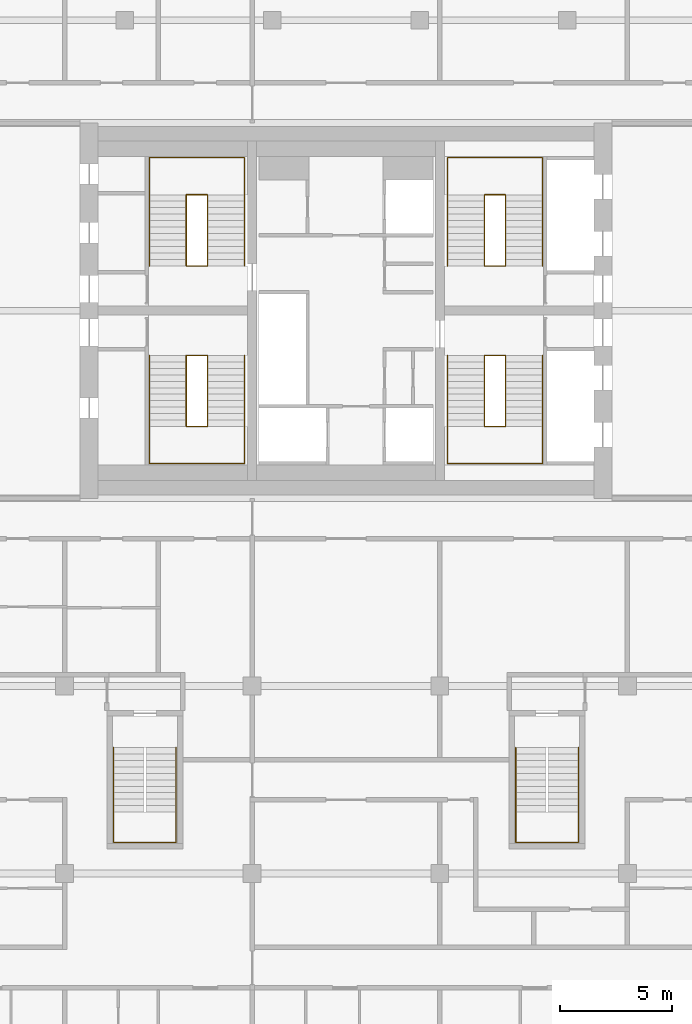
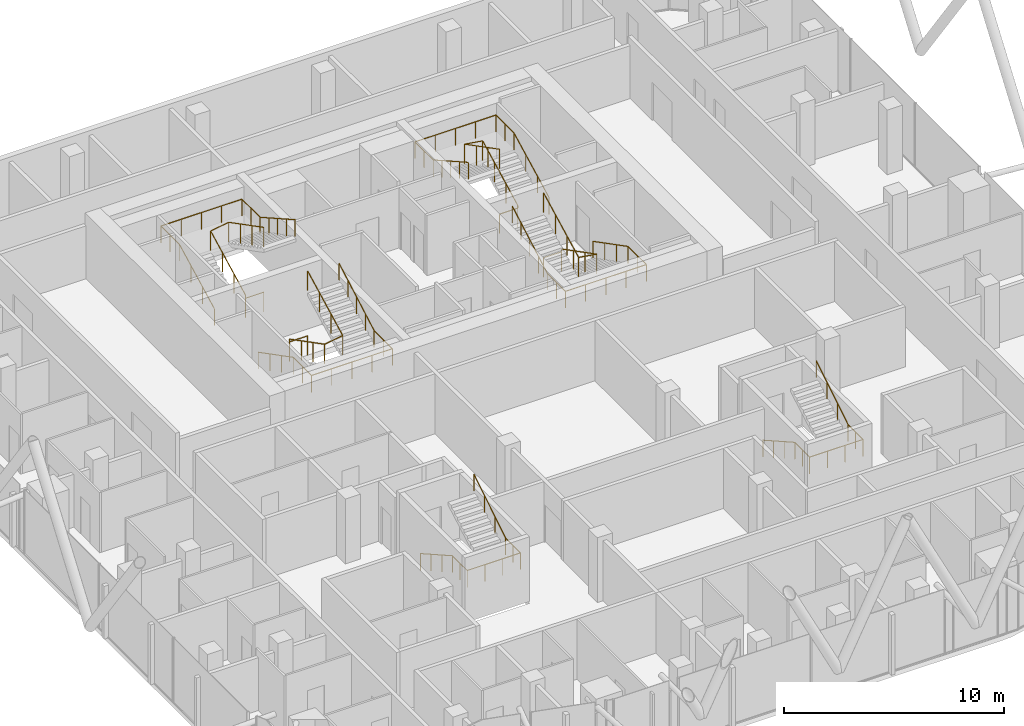
# One storey, part 31 of 31: 10 railings.
"""IFC4 building model written with IfcOpenShell, lengths in metres."""

from ifc_helpers import new_model, si_unit, direction, frame, origin, origin_2d, place, context, subcontext, project, spatial, circle, extrude, material, type_object, element, save


model = new_model("IFC4")

# Units and contexts
model_context = context("Model", 3, precision=1e-05, world=origin(), true_north=direction((0.0, 1.0)))
body_context = subcontext(model_context, "Body", "Model", "MODEL_VIEW")
ifc_project = project(units=[si_unit("LENGTHUNIT", "METRE"), si_unit("AREAUNIT", "SQUARE_METRE"), si_unit("VOLUMEUNIT", "CUBIC_METRE"), si_unit("PLANEANGLEUNIT", "RADIAN"), si_unit("MASSUNIT", "GRAM", prefix="KILO")], contexts=[model_context])

# Site, building, storey
site_placement = place(None, origin())
site = spatial("IfcSite", under=ifc_project, at=site_placement, CompositionType="ELEMENT")
building_placement = place(site_placement, origin())
building = spatial("IfcBuilding", under=site, at=building_placement, Name="Marenta Gate Hotel Tower", CompositionType="ELEMENT")
storey_placement = place(building_placement, frame((0.0, 0.0, 205.699951171875)))
storey = spatial("IfcBuildingStorey", under=building, at=storey_placement, Name="L47", CompositionType="ELEMENT", Elevation=205.699951171875)

# Railings
ifc_material_1 = material(Name="Stainless steel", Category="steel")
railing_type_1 = type_object("IfcRailingType", Name="Core stair handrail 950", PredefinedType="HANDRAIL", material=ifc_material_1)
railing_1_placement = place(storey_placement, frame((-8.800048828125, 6.39990234375, 0.150146484375)))
element("IfcRailing", 1, at=railing_1_placement, inside=storey, type_object=railing_type_1, Name="HR-950 L47-KR-ST1-1", PredefinedType="HANDRAIL", context=body_context, shape_type="SweptSolid", body=[
    extrude(circle(Radius=0.02392578125, at=origin_2d()), frame((0.0, 0.0, 0.92578125), z_axis=(0.0, -0.888225295554, 0.459408123936), x_axis=(1.0, 0.0, 0.0)), (0.0, 0.0, 1.0), 3.59130859375),
    extrude(circle(Radius=0.02392578125, at=origin_2d()), frame((0.0, -3.18994140625, 2.57568359375), z_axis=(0.0, -1.0, 0.0), x_axis=(1.0, 0.0, 0.0)), (0.0, 0.0, 1.0), 1.659912109375),
    extrude(circle(Radius=0.02392578125, at=origin_2d()), frame((0.0, -4.849853515625, 2.57568359375), z_axis=(1.0, 0.0, 0.0), x_axis=(0.0, 1.0, 0.0)), (0.0, 0.0, 1.0), 4.25),
    extrude(circle(Radius=0.02392578125, at=origin_2d()), frame((4.25, -4.849853515625, 2.57568359375), z_axis=(0.0, 1.0, 0.0), x_axis=(-1.0, 0.0, 0.0)), (0.0, 0.0, 1.0), 1.659912109375),
    extrude(circle(Radius=0.02392578125, at=origin_2d()), frame((4.25, -3.18994140625, 2.57568359375), z_axis=(0.0, 0.87090897868, 0.491444351738), x_axis=(-1.0, 0.0, 0.0)), (0.0, 0.0, 1.0), 3.662841796875),
    extrude(circle(Radius=0.02099609375, at=origin_2d()), origin(), (0.0, 0.0, 1.0), 0.90185546875),
    extrude(circle(Radius=0.02099609375, at=origin_2d()), frame((0.0, -1.063232421875, 0.550048828125)), (0.0, 0.0, 1.0), 0.90185546875),
    extrude(circle(Radius=0.02099609375, at=origin_2d()), frame((0.0, -2.126708984375, 1.099853515625)), (0.0, 0.0, 1.0), 0.90185546875),
    extrude(circle(Radius=0.02099609375, at=origin_2d()), frame((0.0, -3.18994140625, 1.64990234375)), (0.0, 0.0, 1.0), 0.90185546875),
    extrude(circle(Radius=0.02099609375, at=origin_2d()), frame((0.0, -4.02001953125, 1.64990234375)), (0.0, 0.0, 1.0), 0.90185546875),
    extrude(circle(Radius=0.02099609375, at=origin_2d()), frame((0.0, -4.849853515625, 1.64990234375)), (0.0, 0.0, 1.0), 0.90185546875),
    extrude(circle(Radius=0.02099609375, at=origin_2d()), frame((1.0625, -4.849853515625, 1.64990234375)), (0.0, 0.0, 1.0), 0.90185546875),
    extrude(circle(Radius=0.02099609375, at=origin_2d()), frame((2.125, -4.849853515625, 1.64990234375)), (0.0, 0.0, 1.0), 0.90185546875),
    extrude(circle(Radius=0.02099609375, at=origin_2d()), frame((3.1875, -4.849853515625, 1.64990234375)), (0.0, 0.0, 1.0), 0.90185546875),
    extrude(circle(Radius=0.02099609375, at=origin_2d()), frame((4.25, -4.849853515625, 1.64990234375)), (0.0, 0.0, 1.0), 0.90185546875),
    extrude(circle(Radius=0.02099609375, at=origin_2d()), frame((4.25, -4.02001953125, 1.64990234375)), (0.0, 0.0, 1.0), 0.90185546875),
    extrude(circle(Radius=0.02099609375, at=origin_2d()), frame((4.25, -3.18994140625, 1.64990234375)), (0.0, 0.0, 1.0), 0.90185546875),
    extrude(circle(Radius=0.02099609375, at=origin_2d()), frame((4.25, -2.392578125, 2.099853515625)), (0.0, 0.0, 1.0), 0.90185546875),
    extrude(circle(Radius=0.02099609375, at=origin_2d()), frame((4.25, -1.594970703125, 2.5498046875)), (0.0, 0.0, 1.0), 0.90185546875),
    extrude(circle(Radius=0.02099609375, at=origin_2d()), frame((4.25, -0.79736328125, 3.0)), (0.0, 0.0, 1.0), 0.90185546875),
    extrude(circle(Radius=0.02099609375, at=origin_2d()), frame((4.25, 0.0, 3.449951171875)), (0.0, 0.0, 1.0), 0.90185546875),
])
railing_2_placement = place(storey_placement, frame((-8.800048828125, 10.39990234375, 0.150146484375)))
element("IfcRailing", 2, at=railing_2_placement, inside=storey, type_object=railing_type_1, Name="HR-950 L47-KR-ST2-1", PredefinedType="HANDRAIL", context=body_context, shape_type="SweptSolid", body=[
    extrude(circle(Radius=0.02392578125, at=origin_2d()), frame((0.0, 0.0, 0.92578125), z_axis=(0.0, 0.888239641807, 0.459380385653), x_axis=(-1.0, 0.0, 0.0)), (0.0, 0.0, 1.0), 3.591552734375),
    extrude(circle(Radius=0.02392578125, at=origin_2d()), frame((0.0, 3.190185546875, 2.57568359375), z_axis=(0.0, 1.0, 0.0), x_axis=(-1.0, 0.0, 0.0)), (0.0, 0.0, 1.0), 1.659912109375),
    extrude(circle(Radius=0.02392578125, at=origin_2d()), frame((0.0, 4.85009765625, 2.57568359375), z_axis=(1.0, 0.0, 0.0), x_axis=(0.0, 1.0, 0.0)), (0.0, 0.0, 1.0), 4.25),
    extrude(circle(Radius=0.02392578125, at=origin_2d()), frame((4.25, 4.85009765625, 2.57568359375), z_axis=(0.0, -1.0, 0.0), x_axis=(1.0, 0.0, 0.0)), (0.0, 0.0, 1.0), 1.659912109375),
    extrude(circle(Radius=0.02392578125, at=origin_2d()), frame((4.25, 3.190185546875, 2.57568359375), z_axis=(0.0, -0.870925075533, 0.491415824742), x_axis=(1.0, 0.0, 0.0)), (0.0, 0.0, 1.0), 3.6630859375),
    extrude(circle(Radius=0.02099609375, at=origin_2d()), origin(), (0.0, 0.0, 1.0), 0.90185546875),
    extrude(circle(Radius=0.02099609375, at=origin_2d()), frame((0.0, 1.0634765625, 0.550048828125)), (0.0, 0.0, 1.0), 0.90185546875),
    extrude(circle(Radius=0.02099609375, at=origin_2d()), frame((0.0, 2.126708984375, 1.099853515625)), (0.0, 0.0, 1.0), 0.90185546875),
    extrude(circle(Radius=0.02099609375, at=origin_2d()), frame((0.0, 3.190185546875, 1.64990234375)), (0.0, 0.0, 1.0), 0.90185546875),
    extrude(circle(Radius=0.02099609375, at=origin_2d()), frame((0.0, 4.02001953125, 1.64990234375)), (0.0, 0.0, 1.0), 0.90185546875),
    extrude(circle(Radius=0.02099609375, at=origin_2d()), frame((0.0, 4.85009765625, 1.64990234375)), (0.0, 0.0, 1.0), 0.90185546875),
    extrude(circle(Radius=0.02099609375, at=origin_2d()), frame((1.0625, 4.85009765625, 1.64990234375)), (0.0, 0.0, 1.0), 0.90185546875),
    extrude(circle(Radius=0.02099609375, at=origin_2d()), frame((2.125, 4.85009765625, 1.64990234375)), (0.0, 0.0, 1.0), 0.90185546875),
    extrude(circle(Radius=0.02099609375, at=origin_2d()), frame((3.1875, 4.85009765625, 1.64990234375)), (0.0, 0.0, 1.0), 0.90185546875),
    extrude(circle(Radius=0.02099609375, at=origin_2d()), frame((4.25, 4.85009765625, 1.64990234375)), (0.0, 0.0, 1.0), 0.90185546875),
    extrude(circle(Radius=0.02099609375, at=origin_2d()), frame((4.25, 4.02001953125, 1.64990234375)), (0.0, 0.0, 1.0), 0.90185546875),
    extrude(circle(Radius=0.02099609375, at=origin_2d()), frame((4.25, 3.190185546875, 1.64990234375)), (0.0, 0.0, 1.0), 0.90185546875),
    extrude(circle(Radius=0.02099609375, at=origin_2d()), frame((4.25, 2.392578125, 2.099853515625)), (0.0, 0.0, 1.0), 0.90185546875),
    extrude(circle(Radius=0.02099609375, at=origin_2d()), frame((4.25, 1.59521484375, 2.5498046875)), (0.0, 0.0, 1.0), 0.90185546875),
    extrude(circle(Radius=0.02099609375, at=origin_2d()), frame((4.25, 0.797607421875, 3.0)), (0.0, 0.0, 1.0), 0.90185546875),
    extrude(circle(Radius=0.02099609375, at=origin_2d()), frame((4.25, 0.0, 3.449951171875)), (0.0, 0.0, 1.0), 0.90185546875),
])
railing_3_placement = place(storey_placement, frame((8.800048828125, 6.39990234375, 0.150146484375)))
element("IfcRailing", 3, at=railing_3_placement, inside=storey, type_object=railing_type_1, Name="HR-950 L47-KR-ST3-1", PredefinedType="HANDRAIL", context=body_context, shape_type="SweptSolid", body=[
    extrude(circle(Radius=0.02392578125, at=origin_2d()), frame((0.0, 0.0, 0.92578125), z_axis=(0.0, -0.888225295554, 0.459408123936), x_axis=(1.0, 0.0, 0.0)), (0.0, 0.0, 1.0), 3.59130859375),
    extrude(circle(Radius=0.02392578125, at=origin_2d()), frame((0.0, -3.18994140625, 2.57568359375), z_axis=(0.0, -1.0, 0.0), x_axis=(1.0, 0.0, 0.0)), (0.0, 0.0, 1.0), 1.659912109375),
    extrude(circle(Radius=0.02392578125, at=origin_2d()), frame((0.0, -4.849853515625, 2.57568359375), z_axis=(-1.0, 0.0, 0.0), x_axis=(0.0, -1.0, 0.0)), (0.0, 0.0, 1.0), 4.25),
    extrude(circle(Radius=0.02392578125, at=origin_2d()), frame((-4.25, -4.849853515625, 2.57568359375), z_axis=(0.0, 1.0, 0.0), x_axis=(-1.0, 0.0, 0.0)), (0.0, 0.0, 1.0), 1.659912109375),
    extrude(circle(Radius=0.02392578125, at=origin_2d()), frame((-4.25, -3.18994140625, 2.57568359375), z_axis=(0.0, 0.87090897868, 0.491444351738), x_axis=(-1.0, 0.0, 0.0)), (0.0, 0.0, 1.0), 3.662841796875),
    extrude(circle(Radius=0.02099609375, at=origin_2d()), origin(), (0.0, 0.0, 1.0), 0.90185546875),
    extrude(circle(Radius=0.02099609375, at=origin_2d()), frame((0.0, -1.063232421875, 0.550048828125)), (0.0, 0.0, 1.0), 0.90185546875),
    extrude(circle(Radius=0.02099609375, at=origin_2d()), frame((0.0, -2.126708984375, 1.099853515625)), (0.0, 0.0, 1.0), 0.90185546875),
    extrude(circle(Radius=0.02099609375, at=origin_2d()), frame((0.0, -3.18994140625, 1.64990234375)), (0.0, 0.0, 1.0), 0.90185546875),
    extrude(circle(Radius=0.02099609375, at=origin_2d()), frame((0.0, -4.02001953125, 1.64990234375)), (0.0, 0.0, 1.0), 0.90185546875),
    extrude(circle(Radius=0.02099609375, at=origin_2d()), frame((0.0, -4.849853515625, 1.64990234375)), (0.0, 0.0, 1.0), 0.90185546875),
    extrude(circle(Radius=0.02099609375, at=origin_2d()), frame((-1.0625, -4.849853515625, 1.64990234375)), (0.0, 0.0, 1.0), 0.90185546875),
    extrude(circle(Radius=0.02099609375, at=origin_2d()), frame((-2.125, -4.849853515625, 1.64990234375)), (0.0, 0.0, 1.0), 0.90185546875),
    extrude(circle(Radius=0.02099609375, at=origin_2d()), frame((-3.1875, -4.849853515625, 1.64990234375)), (0.0, 0.0, 1.0), 0.90185546875),
    extrude(circle(Radius=0.02099609375, at=origin_2d()), frame((-4.25, -4.849853515625, 1.64990234375)), (0.0, 0.0, 1.0), 0.90185546875),
    extrude(circle(Radius=0.02099609375, at=origin_2d()), frame((-4.25, -4.02001953125, 1.64990234375)), (0.0, 0.0, 1.0), 0.90185546875),
    extrude(circle(Radius=0.02099609375, at=origin_2d()), frame((-4.25, -3.18994140625, 1.64990234375)), (0.0, 0.0, 1.0), 0.90185546875),
    extrude(circle(Radius=0.02099609375, at=origin_2d()), frame((-4.25, -2.392578125, 2.099853515625)), (0.0, 0.0, 1.0), 0.90185546875),
    extrude(circle(Radius=0.02099609375, at=origin_2d()), frame((-4.25, -1.594970703125, 2.5498046875)), (0.0, 0.0, 1.0), 0.90185546875),
    extrude(circle(Radius=0.02099609375, at=origin_2d()), frame((-4.25, -0.79736328125, 3.0)), (0.0, 0.0, 1.0), 0.90185546875),
    extrude(circle(Radius=0.02099609375, at=origin_2d()), frame((-4.25, 0.0, 3.449951171875)), (0.0, 0.0, 1.0), 0.90185546875),
])
railing_4_placement = place(storey_placement, frame((8.800048828125, 10.39990234375, 0.150146484375)))
element("IfcRailing", 4, at=railing_4_placement, inside=storey, type_object=railing_type_1, Name="HR-950 L47-KR-ST4-1", PredefinedType="HANDRAIL", context=body_context, shape_type="SweptSolid", body=[
    extrude(circle(Radius=0.02392578125, at=origin_2d()), frame((0.0, 0.0, 0.92578125), z_axis=(0.0, 0.888239641807, 0.459380385653), x_axis=(-1.0, 0.0, 0.0)), (0.0, 0.0, 1.0), 3.591552734375),
    extrude(circle(Radius=0.02392578125, at=origin_2d()), frame((0.0, 3.190185546875, 2.57568359375), z_axis=(0.0, 1.0, 0.0), x_axis=(-1.0, 0.0, 0.0)), (0.0, 0.0, 1.0), 1.659912109375),
    extrude(circle(Radius=0.02392578125, at=origin_2d()), frame((0.0, 4.85009765625, 2.57568359375), z_axis=(-1.0, 0.0, 0.0), x_axis=(0.0, -1.0, 0.0)), (0.0, 0.0, 1.0), 4.25),
    extrude(circle(Radius=0.02392578125, at=origin_2d()), frame((-4.25, 4.85009765625, 2.57568359375), z_axis=(0.0, -1.0, 0.0), x_axis=(1.0, 0.0, 0.0)), (0.0, 0.0, 1.0), 1.659912109375),
    extrude(circle(Radius=0.02392578125, at=origin_2d()), frame((-4.25, 3.190185546875, 2.57568359375), z_axis=(0.0, -0.870925075533, 0.491415824742), x_axis=(1.0, 0.0, 0.0)), (0.0, 0.0, 1.0), 3.6630859375),
    extrude(circle(Radius=0.02099609375, at=origin_2d()), origin(), (0.0, 0.0, 1.0), 0.90185546875),
    extrude(circle(Radius=0.02099609375, at=origin_2d()), frame((0.0, 1.0634765625, 0.550048828125)), (0.0, 0.0, 1.0), 0.90185546875),
    extrude(circle(Radius=0.02099609375, at=origin_2d()), frame((0.0, 2.126708984375, 1.099853515625)), (0.0, 0.0, 1.0), 0.90185546875),
    extrude(circle(Radius=0.02099609375, at=origin_2d()), frame((0.0, 3.190185546875, 1.64990234375)), (0.0, 0.0, 1.0), 0.90185546875),
    extrude(circle(Radius=0.02099609375, at=origin_2d()), frame((0.0, 4.02001953125, 1.64990234375)), (0.0, 0.0, 1.0), 0.90185546875),
    extrude(circle(Radius=0.02099609375, at=origin_2d()), frame((0.0, 4.85009765625, 1.64990234375)), (0.0, 0.0, 1.0), 0.90185546875),
    extrude(circle(Radius=0.02099609375, at=origin_2d()), frame((-1.0625, 4.85009765625, 1.64990234375)), (0.0, 0.0, 1.0), 0.90185546875),
    extrude(circle(Radius=0.02099609375, at=origin_2d()), frame((-2.125, 4.85009765625, 1.64990234375)), (0.0, 0.0, 1.0), 0.90185546875),
    extrude(circle(Radius=0.02099609375, at=origin_2d()), frame((-3.1875, 4.85009765625, 1.64990234375)), (0.0, 0.0, 1.0), 0.90185546875),
    extrude(circle(Radius=0.02099609375, at=origin_2d()), frame((-4.25, 4.85009765625, 1.64990234375)), (0.0, 0.0, 1.0), 0.90185546875),
    extrude(circle(Radius=0.02099609375, at=origin_2d()), frame((-4.25, 4.02001953125, 1.64990234375)), (0.0, 0.0, 1.0), 0.90185546875),
    extrude(circle(Radius=0.02099609375, at=origin_2d()), frame((-4.25, 3.190185546875, 1.64990234375)), (0.0, 0.0, 1.0), 0.90185546875),
    extrude(circle(Radius=0.02099609375, at=origin_2d()), frame((-4.25, 2.392578125, 2.099853515625)), (0.0, 0.0, 1.0), 0.90185546875),
    extrude(circle(Radius=0.02099609375, at=origin_2d()), frame((-4.25, 1.59521484375, 2.5498046875)), (0.0, 0.0, 1.0), 0.90185546875),
    extrude(circle(Radius=0.02099609375, at=origin_2d()), frame((-4.25, 0.797607421875, 3.0)), (0.0, 0.0, 1.0), 0.90185546875),
    extrude(circle(Radius=0.02099609375, at=origin_2d()), frame((-4.25, 0.0, 3.449951171875)), (0.0, 0.0, 1.0), 0.90185546875),
])
railing_5_placement = place(storey_placement, frame((-10.39990234375, -11.14990234375, 0.16357421875)))
element("IfcRailing", 5, at=railing_5_placement, inside=storey, type_object=railing_type_1, Name="HR-950 L47-RS-Z3-1-KR-1", PredefinedType="HANDRAIL", context=body_context, shape_type="SweptSolid", body=[
    extrude(circle(Radius=0.02392578125, at=origin_2d()), frame((0.0, 0.0, 0.92578125), z_axis=(0.0, -0.870914908162, 0.491433843708), x_axis=(1.0, 0.0, 0.0)), (0.0, 0.0, 1.0), 3.330078125),
    extrude(circle(Radius=0.02392578125, at=origin_2d()), frame((0.0, -2.900146484375, 2.5625), z_axis=(0.0, -1.0, 0.0), x_axis=(1.0, 0.0, 0.0)), (0.0, 0.0, 1.0), 1.349853515625),
    extrude(circle(Radius=0.02392578125, at=origin_2d()), frame((0.0, -4.25, 2.5625), z_axis=(1.0, 0.0, 0.0), x_axis=(0.0, 1.0, 0.0)), (0.0, 0.0, 1.0), 2.7998046875),
    extrude(circle(Radius=0.02392578125, at=origin_2d()), frame((2.7998046875, -4.25, 2.5625), z_axis=(0.0, 1.0, 0.0), x_axis=(-1.0, 0.0, 0.0)), (0.0, 0.0, 1.0), 1.349853515625),
    extrude(circle(Radius=0.02392578125, at=origin_2d()), frame((2.7998046875, -2.900146484375, 2.5625), z_axis=(0.0, 0.849645691689, 0.527353959494), x_axis=(-1.0, 0.0, 0.0)), (0.0, 0.0, 1.0), 3.413330078125),
    extrude(circle(Radius=0.02099609375, at=origin_2d()), origin(), (0.0, 0.0, 1.0), 0.90185546875),
    extrude(circle(Radius=0.02099609375, at=origin_2d()), frame((0.0, -0.966796875, 0.54541015625)), (0.0, 0.0, 1.0), 0.90185546875),
    extrude(circle(Radius=0.02099609375, at=origin_2d()), frame((0.0, -1.933349609375, 1.091064453125)), (0.0, 0.0, 1.0), 0.90185546875),
    extrude(circle(Radius=0.02099609375, at=origin_2d()), frame((0.0, -2.900146484375, 1.636474609375)), (0.0, 0.0, 1.0), 0.90185546875),
    extrude(circle(Radius=0.02099609375, at=origin_2d()), frame((0.0, -3.5751953125, 1.636474609375)), (0.0, 0.0, 1.0), 0.90185546875),
    extrude(circle(Radius=0.02099609375, at=origin_2d()), frame((0.0, -4.25, 1.636474609375)), (0.0, 0.0, 1.0), 0.90185546875),
    extrude(circle(Radius=0.02099609375, at=origin_2d()), frame((0.933349609375, -4.25, 1.636474609375)), (0.0, 0.0, 1.0), 0.90185546875),
    extrude(circle(Radius=0.02099609375, at=origin_2d()), frame((1.866455078125, -4.25, 1.636474609375)), (0.0, 0.0, 1.0), 0.90185546875),
    extrude(circle(Radius=0.02099609375, at=origin_2d()), frame((2.7998046875, -4.25, 1.636474609375)), (0.0, 0.0, 1.0), 0.90185546875),
    extrude(circle(Radius=0.02099609375, at=origin_2d()), frame((2.7998046875, -3.5751953125, 1.636474609375)), (0.0, 0.0, 1.0), 0.90185546875),
    extrude(circle(Radius=0.02099609375, at=origin_2d()), frame((2.7998046875, -2.900146484375, 1.636474609375)), (0.0, 0.0, 1.0), 0.90185546875),
    extrude(circle(Radius=0.02099609375, at=origin_2d()), frame((2.7998046875, -1.933349609375, 2.236572265625)), (0.0, 0.0, 1.0), 0.90185546875),
    extrude(circle(Radius=0.02099609375, at=origin_2d()), frame((2.7998046875, -0.966796875, 2.83642578125)), (0.0, 0.0, 1.0), 0.90185546875),
    extrude(circle(Radius=0.02099609375, at=origin_2d()), frame((2.7998046875, 0.0, 3.4365234375)), (0.0, 0.0, 1.0), 0.90185546875),
])
railing_6_placement = place(storey_placement, frame((7.60009765625, -11.14990234375, 0.16357421875)))
element("IfcRailing", 6, at=railing_6_placement, inside=storey, type_object=railing_type_1, Name="HR-950 L47-RS-Z3-2-KR-1", PredefinedType="HANDRAIL", context=body_context, shape_type="SweptSolid", body=[
    extrude(circle(Radius=0.02392578125, at=origin_2d()), frame((0.0, 0.0, 0.92578125), z_axis=(0.0, -0.870914908162, 0.491433843708), x_axis=(1.0, 0.0, 0.0)), (0.0, 0.0, 1.0), 3.330078125),
    extrude(circle(Radius=0.02392578125, at=origin_2d()), frame((0.0, -2.900146484375, 2.5625), z_axis=(0.0, -1.0, 0.0), x_axis=(1.0, 0.0, 0.0)), (0.0, 0.0, 1.0), 1.349853515625),
    extrude(circle(Radius=0.02392578125, at=origin_2d()), frame((0.0, -4.25, 2.5625), z_axis=(1.0, 0.0, 0.0), x_axis=(0.0, 1.0, 0.0)), (0.0, 0.0, 1.0), 2.7998046875),
    extrude(circle(Radius=0.02392578125, at=origin_2d()), frame((2.7998046875, -4.25, 2.5625), z_axis=(0.0, 1.0, 0.0), x_axis=(-1.0, 0.0, 0.0)), (0.0, 0.0, 1.0), 1.349853515625),
    extrude(circle(Radius=0.02392578125, at=origin_2d()), frame((2.7998046875, -2.900146484375, 2.5625), z_axis=(0.0, 0.849645691689, 0.527353959494), x_axis=(-1.0, 0.0, 0.0)), (0.0, 0.0, 1.0), 3.413330078125),
    extrude(circle(Radius=0.02099609375, at=origin_2d()), origin(), (0.0, 0.0, 1.0), 0.90185546875),
    extrude(circle(Radius=0.02099609375, at=origin_2d()), frame((0.0, -0.966796875, 0.54541015625)), (0.0, 0.0, 1.0), 0.90185546875),
    extrude(circle(Radius=0.02099609375, at=origin_2d()), frame((0.0, -1.933349609375, 1.091064453125)), (0.0, 0.0, 1.0), 0.90185546875),
    extrude(circle(Radius=0.02099609375, at=origin_2d()), frame((0.0, -2.900146484375, 1.636474609375)), (0.0, 0.0, 1.0), 0.90185546875),
    extrude(circle(Radius=0.02099609375, at=origin_2d()), frame((0.0, -3.5751953125, 1.636474609375)), (0.0, 0.0, 1.0), 0.90185546875),
    extrude(circle(Radius=0.02099609375, at=origin_2d()), frame((0.0, -4.25, 1.636474609375)), (0.0, 0.0, 1.0), 0.90185546875),
    extrude(circle(Radius=0.02099609375, at=origin_2d()), frame((0.933349609375, -4.25, 1.636474609375)), (0.0, 0.0, 1.0), 0.90185546875),
    extrude(circle(Radius=0.02099609375, at=origin_2d()), frame((1.866455078125, -4.25, 1.636474609375)), (0.0, 0.0, 1.0), 0.90185546875),
    extrude(circle(Radius=0.02099609375, at=origin_2d()), frame((2.7998046875, -4.25, 1.636474609375)), (0.0, 0.0, 1.0), 0.90185546875),
    extrude(circle(Radius=0.02099609375, at=origin_2d()), frame((2.7998046875, -3.5751953125, 1.636474609375)), (0.0, 0.0, 1.0), 0.90185546875),
    extrude(circle(Radius=0.02099609375, at=origin_2d()), frame((2.7998046875, -2.900146484375, 1.636474609375)), (0.0, 0.0, 1.0), 0.90185546875),
    extrude(circle(Radius=0.02099609375, at=origin_2d()), frame((2.7998046875, -1.933349609375, 2.236572265625)), (0.0, 0.0, 1.0), 0.90185546875),
    extrude(circle(Radius=0.02099609375, at=origin_2d()), frame((2.7998046875, -0.966796875, 2.83642578125)), (0.0, 0.0, 1.0), 0.90185546875),
    extrude(circle(Radius=0.02099609375, at=origin_2d()), frame((2.7998046875, 0.0, 3.4365234375)), (0.0, 0.0, 1.0), 0.90185546875),
])
ifc_material_2 = material(Name="Stainless steel", Category="steel")
railing_type_2 = type_object("IfcRailingType", Name="Core stair well guard 1100", PredefinedType="GUARDRAIL", material=ifc_material_2)
railing_7_placement = place(storey_placement, frame((-6.199951171875, 6.39990234375, 0.0)))
element("IfcRailing", 7, at=railing_7_placement, inside=storey, type_object=railing_type_2, Name="GR-1100 L47-KR-ST1-2", PredefinedType="GUARDRAIL", context=body_context, shape_type="SweptSolid", body=[
    extrude(circle(Radius=0.02392578125, at=origin_2d()), frame((0.0, 0.0, 1.076171875), z_axis=(-1.0, 0.0, 0.0), x_axis=(0.0, -1.0, 0.0)), (0.0, 0.0, 1.0), 0.949951171875),
    extrude(circle(Radius=0.02392578125, at=origin_2d()), frame((-0.949951171875, 0.0, 1.076171875), z_axis=(0.0, 0.0, 1.0), x_axis=(1.0, 0.0, 0.0)), (0.0, 0.0, 1.0), 0.150146484375),
    extrude(circle(Radius=0.02392578125, at=origin_2d()), frame((-0.949951171875, 0.0, 1.22607421875), z_axis=(0.0, -0.888225295554, 0.459408123936), x_axis=(1.0, 0.0, 0.0)), (0.0, 0.0, 1.0), 3.59130859375),
    extrude(circle(Radius=0.02392578125, at=origin_2d()), frame((-0.949951171875, -3.18994140625, 2.8759765625), z_axis=(0.987777369502, 0.0, 0.15587131968), x_axis=(0.0, 1.0, 0.0)), (0.0, 0.0, 1.0), 0.961669921875),
    extrude(circle(Radius=0.02392578125, at=origin_2d()), frame((0.0, -3.18994140625, 3.02587890625), z_axis=(0.0, 0.888197555067, 0.459461753765), x_axis=(-1.0, 0.0, 0.0)), (0.0, 0.0, 1.0), 3.591552734375),
    extrude(circle(Radius=0.02099609375, at=origin_2d()), origin(), (0.0, 0.0, 1.0), 1.052001953125),
    extrude(circle(Radius=0.02099609375, at=origin_2d()), frame((-0.949951171875, 0.0, 0.0)), (0.0, 0.0, 1.0), 1.052001953125),
    extrude(circle(Radius=0.02099609375, at=origin_2d()), frame((-0.949951171875, 0.0, 0.150146484375)), (0.0, 0.0, 1.0), 1.052001953125),
    extrude(circle(Radius=0.02099609375, at=origin_2d()), frame((-0.949951171875, -1.063232421875, 0.7001953125)), (0.0, 0.0, 1.0), 1.052001953125),
    extrude(circle(Radius=0.02099609375, at=origin_2d()), frame((-0.949951171875, -2.126708984375, 1.25)), (0.0, 0.0, 1.0), 1.052001953125),
    extrude(circle(Radius=0.02099609375, at=origin_2d()), frame((-0.949951171875, -3.18994140625, 1.800048828125)), (0.0, 0.0, 1.0), 1.052001953125),
    extrude(circle(Radius=0.02099609375, at=origin_2d()), frame((0.0, -3.18994140625, 1.949951171875)), (0.0, 0.0, 1.0), 1.052001953125),
    extrude(circle(Radius=0.02099609375, at=origin_2d()), frame((0.0, -2.126708984375, 2.5)), (0.0, 0.0, 1.0), 1.052001953125),
    extrude(circle(Radius=0.02099609375, at=origin_2d()), frame((0.0, -1.063232421875, 3.050048828125)), (0.0, 0.0, 1.0), 1.052001953125),
    extrude(circle(Radius=0.02099609375, at=origin_2d()), frame((0.0, 0.0, 3.60009765625)), (0.0, 0.0, 1.0), 1.052001953125),
])
railing_8_placement = place(storey_placement, frame((-6.199951171875, 10.39990234375, 0.0)))
element("IfcRailing", 8, at=railing_8_placement, inside=storey, type_object=railing_type_2, Name="GR-1100 L47-KR-ST2-2", PredefinedType="GUARDRAIL", context=body_context, shape_type="SweptSolid", body=[
    extrude(circle(Radius=0.02392578125, at=origin_2d()), frame((0.0, 0.0, 1.076171875), z_axis=(-1.0, 0.0, 0.0), x_axis=(0.0, -1.0, 0.0)), (0.0, 0.0, 1.0), 0.949951171875),
    extrude(circle(Radius=0.02392578125, at=origin_2d()), frame((-0.949951171875, 0.0, 1.076171875), z_axis=(0.0, 0.0, 1.0), x_axis=(1.0, 0.0, 0.0)), (0.0, 0.0, 1.0), 0.150146484375),
    extrude(circle(Radius=0.02392578125, at=origin_2d()), frame((-0.949951171875, 0.0, 1.22607421875), z_axis=(0.0, 0.888239641807, 0.459380385653), x_axis=(-1.0, 0.0, 0.0)), (0.0, 0.0, 1.0), 3.591552734375),
    extrude(circle(Radius=0.02392578125, at=origin_2d()), frame((-0.949951171875, 3.190185546875, 2.8759765625), z_axis=(0.987777369502, 0.0, 0.15587131968), x_axis=(0.0, 1.0, 0.0)), (0.0, 0.0, 1.0), 0.961669921875),
    extrude(circle(Radius=0.02392578125, at=origin_2d()), frame((0.0, 3.190185546875, 3.02587890625), z_axis=(0.0, -0.888211904222, 0.459434013977), x_axis=(1.0, 0.0, 0.0)), (0.0, 0.0, 1.0), 3.591796875),
    extrude(circle(Radius=0.02099609375, at=origin_2d()), origin(), (0.0, 0.0, 1.0), 1.052001953125),
    extrude(circle(Radius=0.02099609375, at=origin_2d()), frame((-0.949951171875, 0.0, 0.0)), (0.0, 0.0, 1.0), 1.052001953125),
    extrude(circle(Radius=0.02099609375, at=origin_2d()), frame((-0.949951171875, 0.0, 0.150146484375)), (0.0, 0.0, 1.0), 1.052001953125),
    extrude(circle(Radius=0.02099609375, at=origin_2d()), frame((-0.949951171875, 1.0634765625, 0.7001953125)), (0.0, 0.0, 1.0), 1.052001953125),
    extrude(circle(Radius=0.02099609375, at=origin_2d()), frame((-0.949951171875, 2.126708984375, 1.25)), (0.0, 0.0, 1.0), 1.052001953125),
    extrude(circle(Radius=0.02099609375, at=origin_2d()), frame((-0.949951171875, 3.190185546875, 1.800048828125)), (0.0, 0.0, 1.0), 1.052001953125),
    extrude(circle(Radius=0.02099609375, at=origin_2d()), frame((0.0, 3.190185546875, 1.949951171875)), (0.0, 0.0, 1.0), 1.052001953125),
    extrude(circle(Radius=0.02099609375, at=origin_2d()), frame((0.0, 2.126708984375, 2.5)), (0.0, 0.0, 1.0), 1.052001953125),
    extrude(circle(Radius=0.02099609375, at=origin_2d()), frame((0.0, 1.0634765625, 3.050048828125)), (0.0, 0.0, 1.0), 1.052001953125),
    extrude(circle(Radius=0.02099609375, at=origin_2d()), frame((0.0, 0.0, 3.60009765625)), (0.0, 0.0, 1.0), 1.052001953125),
])
railing_9_placement = place(storey_placement, frame((6.199951171875, 6.39990234375, 0.0)))
element("IfcRailing", 9, at=railing_9_placement, inside=storey, type_object=railing_type_2, Name="GR-1100 L47-KR-ST3-2", PredefinedType="GUARDRAIL", context=body_context, shape_type="SweptSolid", body=[
    extrude(circle(Radius=0.02392578125, at=origin_2d()), frame((0.0, 0.0, 1.076171875), z_axis=(1.0, 0.0, 0.0), x_axis=(0.0, 1.0, 0.0)), (0.0, 0.0, 1.0), 0.949951171875),
    extrude(circle(Radius=0.02392578125, at=origin_2d()), frame((0.949951171875, 0.0, 1.076171875), z_axis=(0.0, 0.0, 1.0), x_axis=(1.0, 0.0, 0.0)), (0.0, 0.0, 1.0), 0.150146484375),
    extrude(circle(Radius=0.02392578125, at=origin_2d()), frame((0.949951171875, 0.0, 1.22607421875), z_axis=(0.0, -0.888225295554, 0.459408123936), x_axis=(1.0, 0.0, 0.0)), (0.0, 0.0, 1.0), 3.59130859375),
    extrude(circle(Radius=0.02392578125, at=origin_2d()), frame((0.949951171875, -3.18994140625, 2.8759765625), z_axis=(-0.987777369502, 0.0, 0.15587131968), x_axis=(0.0, -1.0, 0.0)), (0.0, 0.0, 1.0), 0.961669921875),
    extrude(circle(Radius=0.02392578125, at=origin_2d()), frame((0.0, -3.18994140625, 3.02587890625), z_axis=(0.0, 0.888197555067, 0.459461753765), x_axis=(-1.0, 0.0, 0.0)), (0.0, 0.0, 1.0), 3.591552734375),
    extrude(circle(Radius=0.02099609375, at=origin_2d()), origin(), (0.0, 0.0, 1.0), 1.052001953125),
    extrude(circle(Radius=0.02099609375, at=origin_2d()), frame((0.949951171875, 0.0, 0.0)), (0.0, 0.0, 1.0), 1.052001953125),
    extrude(circle(Radius=0.02099609375, at=origin_2d()), frame((0.949951171875, 0.0, 0.150146484375)), (0.0, 0.0, 1.0), 1.052001953125),
    extrude(circle(Radius=0.02099609375, at=origin_2d()), frame((0.949951171875, -1.063232421875, 0.7001953125)), (0.0, 0.0, 1.0), 1.052001953125),
    extrude(circle(Radius=0.02099609375, at=origin_2d()), frame((0.949951171875, -2.126708984375, 1.25)), (0.0, 0.0, 1.0), 1.052001953125),
    extrude(circle(Radius=0.02099609375, at=origin_2d()), frame((0.949951171875, -3.18994140625, 1.800048828125)), (0.0, 0.0, 1.0), 1.052001953125),
    extrude(circle(Radius=0.02099609375, at=origin_2d()), frame((0.0, -3.18994140625, 1.949951171875)), (0.0, 0.0, 1.0), 1.052001953125),
    extrude(circle(Radius=0.02099609375, at=origin_2d()), frame((0.0, -2.126708984375, 2.5)), (0.0, 0.0, 1.0), 1.052001953125),
    extrude(circle(Radius=0.02099609375, at=origin_2d()), frame((0.0, -1.063232421875, 3.050048828125)), (0.0, 0.0, 1.0), 1.052001953125),
    extrude(circle(Radius=0.02099609375, at=origin_2d()), frame((0.0, 0.0, 3.60009765625)), (0.0, 0.0, 1.0), 1.052001953125),
])
railing_10_placement = place(storey_placement, frame((6.199951171875, 10.39990234375, 0.0)))
element("IfcRailing", 10, at=railing_10_placement, inside=storey, type_object=railing_type_2, Name="GR-1100 L47-KR-ST4-2", PredefinedType="GUARDRAIL", context=body_context, shape_type="SweptSolid", body=[
    extrude(circle(Radius=0.02392578125, at=origin_2d()), frame((0.0, 0.0, 1.076171875), z_axis=(1.0, 0.0, 0.0), x_axis=(0.0, 1.0, 0.0)), (0.0, 0.0, 1.0), 0.949951171875),
    extrude(circle(Radius=0.02392578125, at=origin_2d()), frame((0.949951171875, 0.0, 1.076171875), z_axis=(0.0, 0.0, 1.0), x_axis=(1.0, 0.0, 0.0)), (0.0, 0.0, 1.0), 0.150146484375),
    extrude(circle(Radius=0.02392578125, at=origin_2d()), frame((0.949951171875, 0.0, 1.22607421875), z_axis=(0.0, 0.888239641807, 0.459380385653), x_axis=(-1.0, 0.0, 0.0)), (0.0, 0.0, 1.0), 3.591552734375),
    extrude(circle(Radius=0.02392578125, at=origin_2d()), frame((0.949951171875, 3.190185546875, 2.8759765625), z_axis=(-0.987777369502, 0.0, 0.15587131968), x_axis=(0.0, -1.0, 0.0)), (0.0, 0.0, 1.0), 0.961669921875),
    extrude(circle(Radius=0.02392578125, at=origin_2d()), frame((0.0, 3.190185546875, 3.02587890625), z_axis=(0.0, -0.888211904222, 0.459434013977), x_axis=(1.0, 0.0, 0.0)), (0.0, 0.0, 1.0), 3.591796875),
    extrude(circle(Radius=0.02099609375, at=origin_2d()), origin(), (0.0, 0.0, 1.0), 1.052001953125),
    extrude(circle(Radius=0.02099609375, at=origin_2d()), frame((0.949951171875, 0.0, 0.0)), (0.0, 0.0, 1.0), 1.052001953125),
    extrude(circle(Radius=0.02099609375, at=origin_2d()), frame((0.949951171875, 0.0, 0.150146484375)), (0.0, 0.0, 1.0), 1.052001953125),
    extrude(circle(Radius=0.02099609375, at=origin_2d()), frame((0.949951171875, 1.0634765625, 0.7001953125)), (0.0, 0.0, 1.0), 1.052001953125),
    extrude(circle(Radius=0.02099609375, at=origin_2d()), frame((0.949951171875, 2.126708984375, 1.25)), (0.0, 0.0, 1.0), 1.052001953125),
    extrude(circle(Radius=0.02099609375, at=origin_2d()), frame((0.949951171875, 3.190185546875, 1.800048828125)), (0.0, 0.0, 1.0), 1.052001953125),
    extrude(circle(Radius=0.02099609375, at=origin_2d()), frame((0.0, 3.190185546875, 1.949951171875)), (0.0, 0.0, 1.0), 1.052001953125),
    extrude(circle(Radius=0.02099609375, at=origin_2d()), frame((0.0, 2.126708984375, 2.5)), (0.0, 0.0, 1.0), 1.052001953125),
    extrude(circle(Radius=0.02099609375, at=origin_2d()), frame((0.0, 1.0634765625, 3.050048828125)), (0.0, 0.0, 1.0), 1.052001953125),
    extrude(circle(Radius=0.02099609375, at=origin_2d()), frame((0.0, 0.0, 3.60009765625)), (0.0, 0.0, 1.0), 1.052001953125),
])

save(model, "model.ifc")
